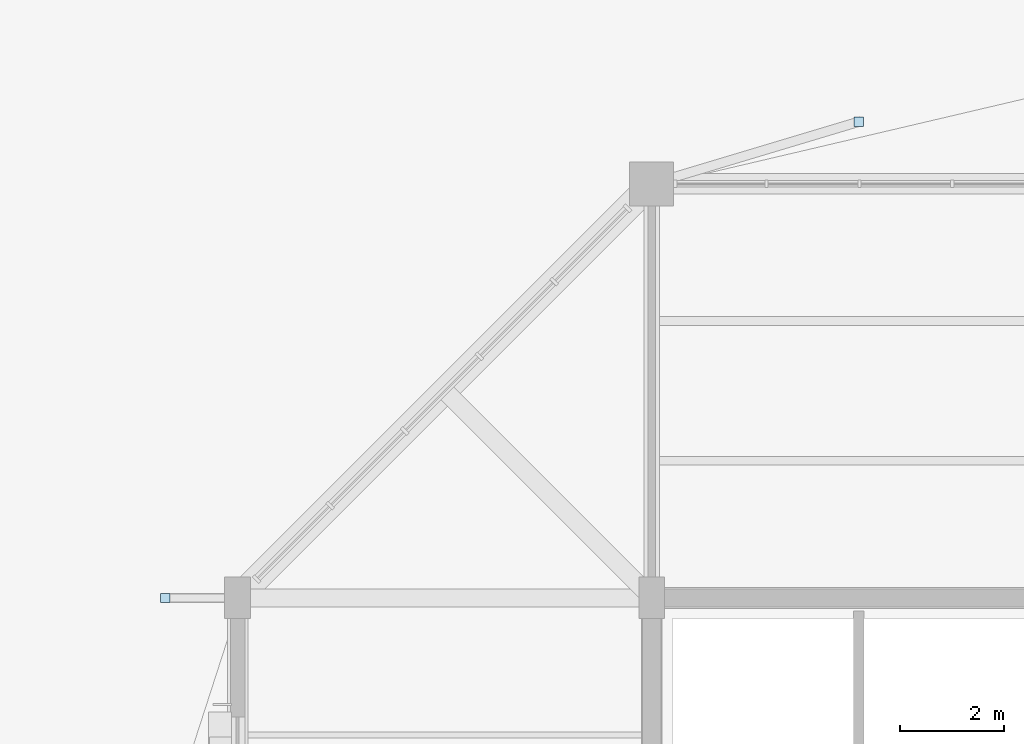
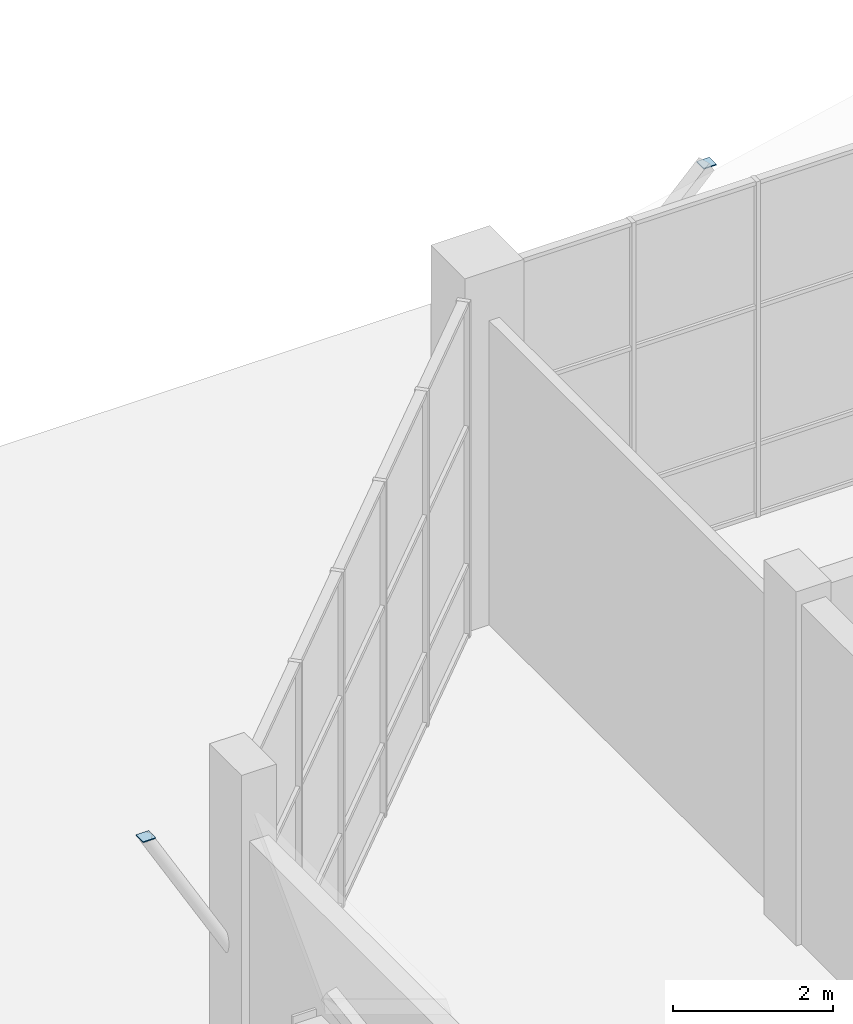
# One storey, part 94 of 123: 2 plates.
"""IFC4 building model written with IfcOpenShell, lengths in metres."""

from ifc_helpers import new_model, si_unit, direction, frame, origin, origin_2d, place, context, subcontext, project, spatial, rectangle, extrude, material, layer, layer_set, type_object, element, save


model = new_model("IFC4")

# Units and contexts
model_context = context("Model", 3, precision=1e-05, world=origin(), true_north=direction((0.0, 1.0)))
body_context = subcontext(model_context, "Body", "Model", "MODEL_VIEW")
ifc_project = project(units=[si_unit("LENGTHUNIT", "METRE"), si_unit("AREAUNIT", "SQUARE_METRE"), si_unit("VOLUMEUNIT", "CUBIC_METRE"), si_unit("PLANEANGLEUNIT", "RADIAN"), si_unit("MASSUNIT", "GRAM", prefix="KILO")], contexts=[model_context])

# Site, building, storey
site_placement = place(None, origin())
site = spatial("IfcSite", under=ifc_project, at=site_placement, CompositionType="ELEMENT")
building_placement = place(site_placement, origin())
building = spatial("IfcBuilding", under=site, at=building_placement, Name="Tenunan Teduh Sports Hall", CompositionType="ELEMENT")
storey_placement = place(building_placement, origin())
storey = spatial("IfcBuildingStorey", under=building, at=storey_placement, Name="L00", CompositionType="ELEMENT", Elevation=0.0)

# Plates
ifc_material = material(Name="Steel S355", Category="steel")
ifc_layer = layer(ifc_material, 0.01611328125)
ifc_layer_set = layer_set([ifc_layer], Name="Steel S355")
plate_type = type_object("IfcPlateType", Name="PLT-CAP-180", PredefinedType="SHEET", material=ifc_layer_set)
for number, where, z_axis, x_axis, name in (
    (1, (18.0, 119.199951171875, 4.619873046875), (0.0, 0.0, 1.0), (1.0, 0.0, 0.0), "PLT-CAP-L00-001"),
    (2, (4.60009765625, 110.0, 4.619873046875), (0.0, 0.0, 1.0), (1.0, 0.0, 0.0), "PLT-CAP-L00-003"),
):
    element("IfcPlate", number, at=place(storey_placement, frame(where, z_axis=z_axis, x_axis=x_axis)), inside=storey, type_object=plate_type, Name=name, PredefinedType="SHEET", context=body_context, shape_type="SweptSolid", body=[
        extrude(rectangle(XDim=0.179931640625, YDim=0.179931640625, at=origin_2d()), origin(), (0.0, 0.0, 1.0), 0.01611328125),
    ])

save(model, "model.ifc")
